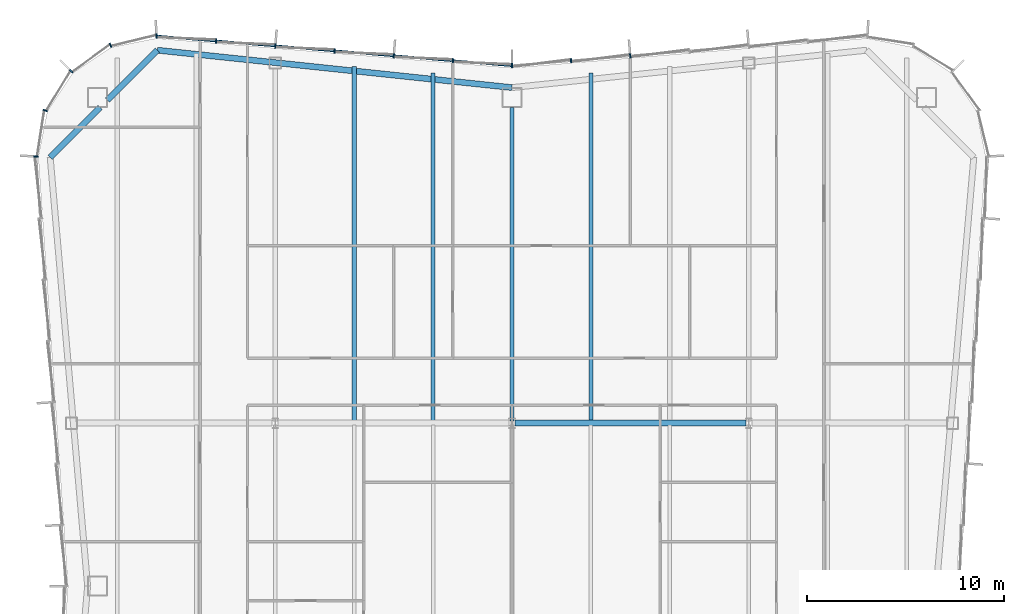
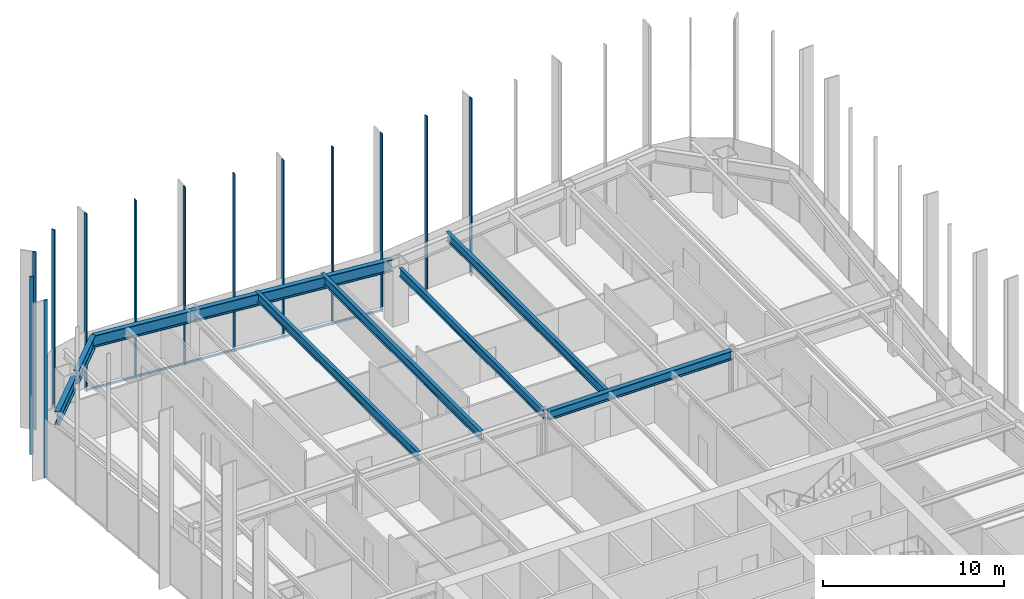
# One storey, part 7 of 15: 14 members, 8 beams, 3 elements without a shape of their own.
"""IFC4 building model written with IfcOpenShell, lengths in metres."""

from ifc_helpers import new_model, si_unit, direction, frame, origin, origin_2d, place, context, subcontext, project, spatial, rectangle, i_section, extrude, material, material_profile, profile_set, type_object, element, aggregate, save


model = new_model("IFC4")

# Units and contexts
model_context = context("Model", 3, precision=1e-05, world=origin(), true_north=direction((0.0, 1.0)))
body_context = subcontext(model_context, "Body", "Model", "MODEL_VIEW")
ifc_project = project(units=[si_unit("LENGTHUNIT", "METRE"), si_unit("AREAUNIT", "SQUARE_METRE"), si_unit("VOLUMEUNIT", "CUBIC_METRE"), si_unit("PLANEANGLEUNIT", "RADIAN"), si_unit("MASSUNIT", "GRAM", prefix="KILO")], contexts=[model_context])

# Site, building, storey
site_placement = place(None, origin())
site = spatial("IfcSite", under=ifc_project, at=site_placement, CompositionType="ELEMENT")
building_placement = place(site_placement, origin())
building = spatial("IfcBuilding", under=site, at=building_placement, Name="Verdant Reach Tower", CompositionType="ELEMENT")
storey_placement = place(building_placement, frame((0.0, 0.0, 250.0)))
storey = spatial("IfcBuildingStorey", under=building, at=storey_placement, Name="L57", CompositionType="ELEMENT", Elevation=250.0)

# Curtain wall, members
ifc_material_1 = material(Name="Anodised aluminium", Category="aluminium")
curtain_wall_type = type_object("IfcCurtainWallType", Name="EN-CW SYSTEM Z4", PredefinedType="NOTDEFINED", material=ifc_material_1)
curtain_wall_1_placement = place(storey_placement, origin())
curtain_wall_1 = element("IfcCurtainWall", 1, at=curtain_wall_1_placement, inside=storey, type_object=curtain_wall_type, Name="Curtain wall north, L57", PredefinedType="NOTDEFINED")
ifc_material_profile_1 = material_profile(ifc_material_1, rectangle(XDim=0.22412109375, YDim=0.068115234375, at=origin_2d()), Name="Mullion 68x224")
ifc_profile_set_1 = profile_set([ifc_material_profile_1], Name="Anodised aluminium")
member_type_1 = type_object("IfcMemberType", Name="EN-MULLION Z4", PredefinedType="MULLION", material=ifc_profile_set_1)
member_1_placement = place(storey_placement, frame((5.99072265625, 68.111572265625, -0.35009765625), z_axis=(0.0, 0.0, 1.0), x_axis=(-0.083045479859, 0.996545758244, 0.0)))
member_1 = element("IfcMember", 2, at=member_1_placement, type_object=member_type_1, Name="Mullion north face part 1 5, L57", PredefinedType="MULLION", context=body_context, shape_type="SweptSolid", body=[
    extrude(rectangle(XDim=0.22412109375, YDim=0.068115234375, at=origin_2d()), origin(), (0.0, 0.0, 1.0), 12.0),
])
member_2_placement = place(storey_placement, frame((2.99072265625, 67.861572265625, -0.35009765625), z_axis=(0.0, 0.0, 1.0), x_axis=(-0.083045479859, 0.996545758244, 0.0)))
member_2 = element("IfcMember", 3, at=member_2_placement, type_object=member_type_1, Name="Mullion north face part 1 6, L57", PredefinedType="MULLION", context=body_context, shape_type="SweptSolid", body=[
    extrude(rectangle(XDim=0.22412109375, YDim=0.068115234375, at=origin_2d()), origin(), (0.0, 0.0, 1.0), 12.0),
])
member_3_placement = place(storey_placement, frame((0.0, 67.612060546875, -0.35009765625), z_axis=(0.0, 0.0, 1.0), x_axis=(0.0, 1.0, 0.0)))
member_3 = element("IfcMember", 4, at=member_3_placement, type_object=member_type_1, Name="Mullion north face part 2 1, L57", PredefinedType="MULLION", context=body_context, shape_type="SweptSolid", body=[
    extrude(rectangle(XDim=0.22412109375, YDim=0.068115234375, at=origin_2d()), origin(), (0.0, 0.0, 1.0), 12.0),
])
member_4_placement = place(storey_placement, frame((-2.99072265625, 67.861572265625, -0.35009765625), z_axis=(0.0, 0.0, 1.0), x_axis=(0.083045479859, 0.996545758244, 0.0)))
member_4 = element("IfcMember", 5, at=member_4_placement, type_object=member_type_1, Name="Mullion north face part 2 2, L57", PredefinedType="MULLION", context=body_context, shape_type="SweptSolid", body=[
    extrude(rectangle(XDim=0.22412109375, YDim=0.068115234375, at=origin_2d()), origin(), (0.0, 0.0, 1.0), 12.0),
])
member_5_placement = place(storey_placement, frame((-5.99072265625, 68.111572265625, -0.35009765625), z_axis=(0.0, 0.0, 1.0), x_axis=(0.083045479859, 0.996545758244, 0.0)))
member_5 = element("IfcMember", 6, at=member_5_placement, type_object=member_type_1, Name="Mullion north face part 2 3, L57", PredefinedType="MULLION", context=body_context, shape_type="SweptSolid", body=[
    extrude(rectangle(XDim=0.22412109375, YDim=0.068115234375, at=origin_2d()), origin(), (0.0, 0.0, 1.0), 12.0),
])
member_6_placement = place(storey_placement, frame((-8.99072265625, 68.361572265625, -0.35009765625), z_axis=(0.0, 0.0, 1.0), x_axis=(0.083045479859, 0.996545758244, 0.0)))
member_6 = element("IfcMember", 7, at=member_6_placement, type_object=member_type_1, Name="Mullion north face part 2 4, L57", PredefinedType="MULLION", context=body_context, shape_type="SweptSolid", body=[
    extrude(rectangle(XDim=0.22412109375, YDim=0.068115234375, at=origin_2d()), origin(), (0.0, 0.0, 1.0), 12.0),
])
member_7_placement = place(storey_placement, frame((-11.99072265625, 68.611572265625, -0.35009765625), z_axis=(0.0, 0.0, 1.0), x_axis=(0.083045479859, 0.996545758244, 0.0)))
member_7 = element("IfcMember", 8, at=member_7_placement, type_object=member_type_1, Name="Mullion north face part 2 5, L57", PredefinedType="MULLION", context=body_context, shape_type="SweptSolid", body=[
    extrude(rectangle(XDim=0.22412109375, YDim=0.068115234375, at=origin_2d()), origin(), (0.0, 0.0, 1.0), 12.0),
])
member_8_placement = place(storey_placement, frame((-14.99072265625, 68.861572265625, -0.35009765625), z_axis=(0.0, 0.0, 1.0), x_axis=(0.083045479859, 0.996545758244, 0.0)))
member_8 = element("IfcMember", 9, at=member_8_placement, type_object=member_type_1, Name="Mullion north face part 2 6, L57", PredefinedType="MULLION", context=body_context, shape_type="SweptSolid", body=[
    extrude(rectangle(XDim=0.22412109375, YDim=0.068115234375, at=origin_2d()), origin(), (0.0, 0.0, 1.0), 12.0),
])

curtain_wall_2_placement = place(storey_placement, origin())
curtain_wall_2 = element("IfcCurtainWall", 10, at=curtain_wall_2_placement, inside=storey, type_object=curtain_wall_type, Name="Curtain wall north-west corner, L57", PredefinedType="NOTDEFINED")
member_9_placement = place(storey_placement, frame((-18.00634765625, 69.11181640625, -0.35009765625), z_axis=(0.0, 0.0, 1.0), x_axis=(-0.056569187765, 0.998398681387, 0.0)))
member_9 = element("IfcMember", 11, at=member_9_placement, type_object=member_type_1, Name="Mullion north-west corner 1, L57", PredefinedType="MULLION", context=body_context, shape_type="SweptSolid", body=[
    extrude(rectangle(XDim=0.22412109375, YDim=0.068115234375, at=origin_2d()), origin(), (0.0, 0.0, 1.0), 12.0),
])
member_10_placement = place(storey_placement, frame((-20.3388671875, 68.646728515625, -0.35009765625), z_axis=(0.0, 0.0, 1.0), x_axis=(-0.382693853776, 0.923875215753, 0.0)))
member_10 = element("IfcMember", 12, at=member_10_placement, type_object=member_type_1, Name="Mullion north-west corner 2, L57", PredefinedType="MULLION", context=body_context, shape_type="SweptSolid", body=[
    extrude(rectangle(XDim=0.22412109375, YDim=0.068115234375, at=origin_2d()), origin(), (0.0, 0.0, 1.0), 12.0),
])
member_11_placement = place(storey_placement, frame((-22.32177734375, 67.32177734375, -0.35009765625), z_axis=(0.0, 0.0, 1.0), x_axis=(-0.707106781187, 0.707106781187, 0.0)))
member_11 = element("IfcMember", 13, at=member_11_placement, type_object=member_type_1, Name="Mullion north-west corner 3, L57", PredefinedType="MULLION", context=body_context, shape_type="SweptSolid", body=[
    extrude(rectangle(XDim=0.22412109375, YDim=0.068115234375, at=origin_2d()), origin(), (0.0, 0.0, 1.0), 12.0),
])
member_12_placement = place(storey_placement, frame((-23.646728515625, 65.3388671875, -0.35009765625), z_axis=(0.0, 0.0, 1.0), x_axis=(-0.923875215753, 0.382693853776, 0.0)))
member_12 = element("IfcMember", 14, at=member_12_placement, type_object=member_type_1, Name="Mullion north-west corner 4, L57", PredefinedType="MULLION", context=body_context, shape_type="SweptSolid", body=[
    extrude(rectangle(XDim=0.22412109375, YDim=0.068115234375, at=origin_2d()), origin(), (0.0, 0.0, 1.0), 12.0),
])
aggregate(curtain_wall_2, [member_9, member_10, member_11, member_12])

# Curtain wall, member
curtain_wall_3_placement = place(storey_placement, origin())
curtain_wall_3 = element("IfcCurtainWall", 15, at=curtain_wall_3_placement, inside=storey, type_object=curtain_wall_type, Name="Curtain wall west, L57", PredefinedType="NOTDEFINED")
member_13_placement = place(storey_placement, frame((-24.11181640625, 63.007080078125, -0.35009765625), z_axis=(0.0, 0.0, 1.0), x_axis=(-0.997969180898, 0.063698618332, 0.0)))
member_13 = element("IfcMember", 16, at=member_13_placement, type_object=member_type_1, Name="Mullion west face part 1 1, L57", PredefinedType="MULLION", context=body_context, shape_type="SweptSolid", body=[
    extrude(rectangle(XDim=0.22412109375, YDim=0.068115234375, at=origin_2d()), origin(), (0.0, 0.0, 1.0), 12.0),
])
aggregate(curtain_wall_3, [member_13])

# Member
ifc_material_profile_2 = material_profile(ifc_material_1, rectangle(XDim=0.10009765625, YDim=0.1279296875, at=origin_2d()), Name="Transom 128x100")
ifc_profile_set_2 = profile_set([ifc_material_profile_2], Name="Anodised aluminium")
member_type_2 = type_object("IfcMemberType", Name="EN-TRANSOM Z4", PredefinedType="USERDEFINED", material=ifc_profile_set_2)
member_14_placement = place(storey_placement, frame((-0.033935546875, 67.61474609375, -0.285888671875), z_axis=(-0.996549124771, 0.083005071637, 0.0), x_axis=(-0.083005071637, -0.996549124771, 0.0)))
member_14 = element("IfcMember", 17, at=member_14_placement, type_object=member_type_2, Name="Transom north face part 2 1.1, L57", ObjectType="TRANSOM", PredefinedType="USERDEFINED", context=body_context, shape_type="SweptSolid", body=[
    extrude(rectangle(XDim=0.10009765625, YDim=0.1279296875, at=origin_2d()), origin(), (0.0, 0.0, 1.0), 18.00048828125),
])

aggregate(curtain_wall_1, [member_1, member_2, member_3, member_4, member_5, member_6, member_7, member_8, member_14])

# Beams
ifc_material_2 = material(Name="Steel S355", Category="steel")
ifc_material_profile_3 = material_profile(ifc_material_2, i_section(OverallWidth=0.300048828125, OverallDepth=0.60009765625, WebThickness=0.015380859375, FlangeThickness=0.030029296875, FilletRadius=0.027099609375, at=origin_2d()), Name="HEB 600")
ifc_profile_set_3 = profile_set([ifc_material_profile_3], Name="Steel S355")
beam_type_1 = type_object("IfcBeamType", Name="ST-BEAM-HEB600", PredefinedType="BEAM", material=ifc_profile_set_3)
beam_1_placement = place(storey_placement, frame((0.153076171875, 49.5, 3.570068359375), z_axis=(1.0, 0.0, 0.0), x_axis=(0.0, 1.0, 0.0)))
element("IfcBeam", 18, at=beam_1_placement, inside=storey, type_object=beam_type_1, Name="Row girder, L57", PredefinedType="BEAM", context=body_context, shape_type="SweptSolid", body=[
    extrude(i_section(OverallWidth=0.300048828125, OverallDepth=0.60009765625, WebThickness=0.015380859375, FlangeThickness=0.030029296875, FilletRadius=0.027099609375, at=origin_2d()), origin(), (0.0, 0.0, 1.0), 11.69384765625),
])
ifc_material_profile_4 = material_profile(ifc_material_2, i_section(OverallWidth=0.2099609375, OverallDepth=0.550048828125, WebThickness=0.010986328125, FlangeThickness=0.01708984375, FilletRadius=0.02392578125, at=origin_2d()), Name="IPE 550")
ifc_profile_set_4 = profile_set([ifc_material_profile_4], Name="Steel S355")
beam_type_2 = type_object("IfcBeamType", Name="ST-JOIST-IPE550", PredefinedType="JOIST", material=ifc_profile_set_4)
beam_2_placement = place(storey_placement, frame((0.0, 49.60009765625, 3.594970703125), z_axis=(0.0, 1.0, 0.0), x_axis=(-1.0, 0.0, 0.0)))
element("IfcBeam", 19, at=beam_2_placement, inside=storey, type_object=beam_type_2, Name="Floor joist, L57", PredefinedType="JOIST", context=body_context, shape_type="SweptSolid", body=[
    extrude(i_section(OverallWidth=0.2099609375, OverallDepth=0.550048828125, WebThickness=0.010986328125, FlangeThickness=0.01708984375, FilletRadius=0.02392578125, at=origin_2d()), origin(), (0.0, 0.0, 1.0), 15.89990234375),
])
ifc_material_profile_5 = material_profile(ifc_material_2, i_section(OverallWidth=0.219970703125, OverallDepth=0.60009765625, WebThickness=0.011962890625, FlangeThickness=0.01904296875, FilletRadius=0.02392578125, at=origin_2d()), Name="IPE 600")
ifc_profile_set_5 = profile_set([ifc_material_profile_5], Name="Steel S355")
beam_type_3 = type_object("IfcBeamType", Name="ST-JOIST-IPE600", PredefinedType="JOIST", material=ifc_profile_set_5)
beam_3_placement = place(storey_placement, frame((-8.0, 49.60009765625, 3.570068359375), z_axis=(0.0, 1.0, 0.0), x_axis=(-1.0, 0.0, 0.0)))
element("IfcBeam", 20, at=beam_3_placement, inside=storey, type_object=beam_type_3, Name="Floor joist, L57", PredefinedType="JOIST", context=body_context, shape_type="SweptSolid", body=[
    extrude(i_section(OverallWidth=0.219970703125, OverallDepth=0.60009765625, WebThickness=0.011962890625, FlangeThickness=0.01904296875, FilletRadius=0.02392578125, at=origin_2d()), origin(), (0.0, 0.0, 1.0), 17.964599609375),
])
for number, where, z_axis, x_axis, name in (
    (21, (-4.0, 49.60009765625, 3.570068359375), (0.0, 1.0, 0.0), (-1.0, 0.0, 0.0), "Floor joist, L57"),
    (22, (4.0, 49.60009765625, 3.570068359375), (0.0, 1.0, 0.0), (-1.0, 0.0, 0.0), "Floor joist, L57"),
):
    element("IfcBeam", number, at=place(storey_placement, frame(where, z_axis=z_axis, x_axis=x_axis)), inside=storey, type_object=beam_type_3, Name=name, PredefinedType="JOIST", context=body_context, shape_type="SweptSolid", body=[
        extrude(i_section(OverallWidth=0.219970703125, OverallDepth=0.60009765625, WebThickness=0.011962890625, FlangeThickness=0.01904296875, FilletRadius=0.02392578125, at=origin_2d()), origin(), (0.0, 0.0, 1.0), 17.631103515625),
    ])
ifc_material_profile_6 = material_profile(ifc_material_2, i_section(OverallWidth=0.300048828125, OverallDepth=0.800048828125, WebThickness=0.017578125, FlangeThickness=0.032958984375, FilletRadius=0.030029296875, at=origin_2d()), Name="HEB 800")
ifc_profile_set_6 = profile_set([ifc_material_profile_6], Name="Steel S355")
beam_type_4 = type_object("IfcBeamType", Name="ST-SPANDREL-HEB800", PredefinedType="SPANDREL", material=ifc_profile_set_6)
beam_4_placement = place(storey_placement, frame((-17.9658203125, 68.39501953125, 3.469970703125), z_axis=(0.994483067002, -0.104897232783, 0.0), x_axis=(0.104897232783, 0.994483067002, 0.0)))
element("IfcBeam", 23, at=beam_4_placement, inside=storey, type_object=beam_type_4, Name="Edge beam, L57", PredefinedType="SPANDREL", context=body_context, shape_type="SweptSolid", body=[
    extrude(i_section(OverallWidth=0.300048828125, OverallDepth=0.800048828125, WebThickness=0.017578125, FlangeThickness=0.032958984375, FilletRadius=0.030029296875, at=origin_2d()), origin(), (0.0, 0.0, 1.0), 18.0654296875),
])
ifc_material_profile_7 = material_profile(ifc_material_2, i_section(OverallWidth=0.302001953125, OverallDepth=0.909912109375, WebThickness=0.02099609375, FlangeThickness=0.0400390625, FilletRadius=0.030029296875, at=origin_2d()), Name="HEM 900")
ifc_profile_set_7 = profile_set([ifc_material_profile_7], Name="Steel S355")
beam_type_5 = type_object("IfcBeamType", Name="ST-SPANDREL-HEM900", PredefinedType="SPANDREL", material=ifc_profile_set_7)
beam_5_placement = place(storey_placement, frame((-23.39599609375, 62.96142578125, 3.4150390625), z_axis=(0.706902680526, 0.707310822952, 0.0), x_axis=(-0.707310822952, 0.706902680526, 0.0)))
element("IfcBeam", 24, at=beam_5_placement, inside=storey, type_object=beam_type_5, Name="Edge beam, L57", PredefinedType="SPANDREL", context=body_context, shape_type="SweptSolid", body=[
    extrude(i_section(OverallWidth=0.302001953125, OverallDepth=0.909912109375, WebThickness=0.02099609375, FlangeThickness=0.0400390625, FilletRadius=0.030029296875, at=origin_2d()), origin(), (0.0, 0.0, 1.0), 3.589111328125),
])
beam_6_placement = place(storey_placement, frame((-20.5, 65.859130859375, 3.4150390625), z_axis=(0.706868394255, 0.707345087777, 0.0), x_axis=(-0.707345087777, 0.706868394255, 0.0)))
element("IfcBeam", 25, at=beam_6_placement, inside=storey, type_object=beam_type_5, Name="Edge beam, L57", PredefinedType="SPANDREL", context=body_context, shape_type="SweptSolid", body=[
    extrude(i_section(OverallWidth=0.302001953125, OverallDepth=0.909912109375, WebThickness=0.02099609375, FlangeThickness=0.0400390625, FilletRadius=0.030029296875, at=origin_2d()), origin(), (0.0, 0.0, 1.0), 3.5849609375),
])

save(model, "model.ifc")
